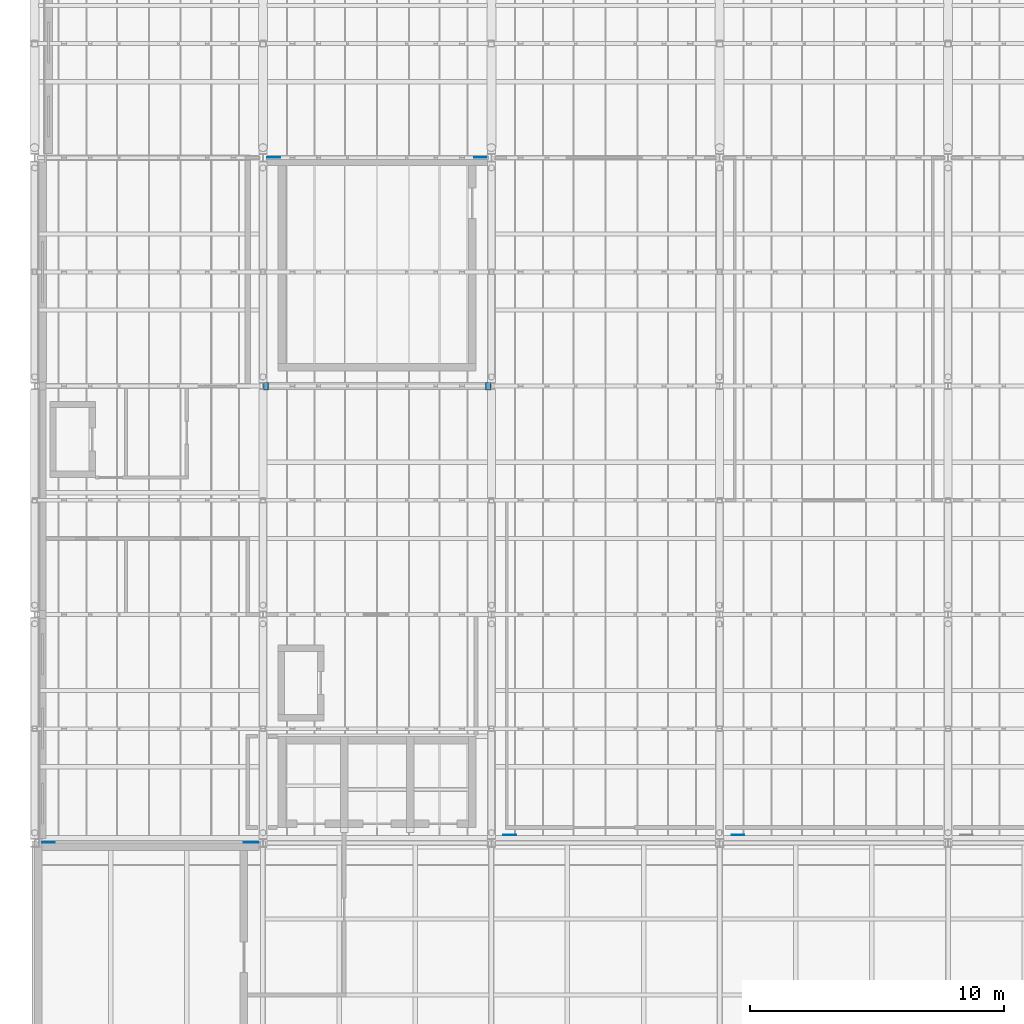
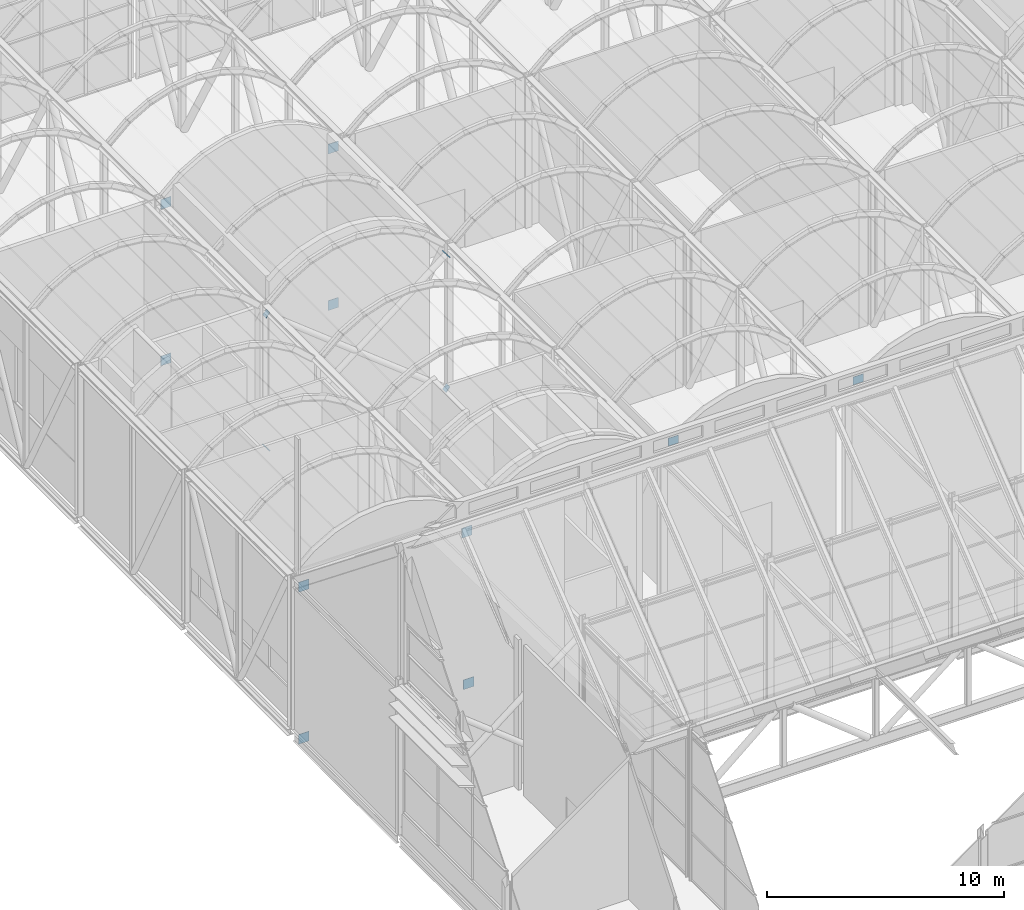
# One storey, part 139 of 144: 14 discrete accessories.
"""IFC4 building model written with IfcOpenShell, lengths in metres."""

from ifc_helpers import new_model, si_unit, direction, frame, origin, place, context, subcontext, project, spatial, polyline, outline, extrude, material, layer, layer_set, type_object, element, save


model = new_model("IFC4")

# Units and contexts
model_context = context("Model", 3, precision=1e-05, world=origin(), true_north=direction((0.0, 1.0)))
body_context = subcontext(model_context, "Body", "Model", "MODEL_VIEW")
ifc_project = project(units=[si_unit("LENGTHUNIT", "METRE"), si_unit("AREAUNIT", "SQUARE_METRE"), si_unit("VOLUMEUNIT", "CUBIC_METRE"), si_unit("PLANEANGLEUNIT", "RADIAN"), si_unit("MASSUNIT", "GRAM", prefix="KILO")], contexts=[model_context])

# Site, building, storey
site_placement = place(None, origin())
site = spatial("IfcSite", under=ifc_project, at=site_placement, CompositionType="ELEMENT")
building_placement = place(site_placement, origin())
building = spatial("IfcBuilding", under=site, at=building_placement, Name="Shorebreak Coast Museum", CompositionType="ELEMENT")
storey_placement = place(building_placement, frame((0.0, 0.0, 36.0)))
storey = spatial("IfcBuildingStorey", under=building, at=storey_placement, Name="L06", CompositionType="ELEMENT", Elevation=36.0)

# Discrete accessories
ifc_material_1 = material(Name="Steel Grade 300", Category="steel")
ifc_layer_1 = layer(ifc_material_1, 0.02490234375)
ifc_layer_set_1 = layer_set([ifc_layer_1], Name="Steel Grade 300")
discrete_accessory_type_1 = type_object("IfcDiscreteAccessoryType", Name="Cast-in plate 500 x 400 x 25", PredefinedType="ANCHORPLATE", material=ifc_layer_set_1)
for number, where, z_axis, x_axis, name in (
    (1, (72.47509765625, 90.300048828125, 7.8212890625), (0.0, -1.0, 0.0), (1.0, 0.0, 0.0), "Cast-in plate Transfer truss TR3 chord C09 end 1"),
    (2, (81.47509765625, 90.300048828125, 7.8212890625), (0.0, -1.0, 0.0), (1.0, 0.0, 0.0), "Cast-in plate Transfer truss TR4 chord C09 end 1"),
):
    element("IfcDiscreteAccessory", number, at=place(storey_placement, frame(where, z_axis=z_axis, x_axis=x_axis)), inside=storey, type_object=discrete_accessory_type_1, Name=name, PredefinedType="ANCHORPLATE", context=body_context, shape_type="SweptSolid", body=[
        extrude(outline(polyline([(0.0, 0.0), (0.5, 0.0), (0.5, 0.400146484375), (0.0, 0.400146484375), (0.0, 0.0)])), origin(), (0.0, 0.0, -1.0), 0.02490234375),
    ])
ifc_material_2 = material(Name="Steel Grade 300", Category="steel")
ifc_layer_2 = layer(ifc_material_2, 0.02490234375)
ifc_layer_set_2 = layer_set([ifc_layer_2], Name="Steel Grade 300")
discrete_accessory_type_2 = type_object("IfcDiscreteAccessoryType", Name="Cast-in plate 500 x 500 x 25", PredefinedType="ANCHORPLATE", material=ifc_layer_set_2)
for number, where, z_axis, x_axis, name in (
    (3, (54.300048828125, 90.0, -0.9853515625), (0.0, -1.0, 0.0), (1.0, 0.0, 0.0), "Cast-in plate Transfer truss TR1 chord C05 end 1"),
    (4, (54.300048828125, 90.0, 6.846435546875), (0.0, -1.0, 0.0), (1.0, 0.0, 0.0), "Cast-in plate Transfer truss TR1 chord C09 end 1"),
    (5, (62.324951171875, 90.0, -0.9853515625), (0.0, -1.0, 0.0), (1.0, 0.0, 0.0), "Cast-in plate Transfer truss TR2 chord C05 end 1"),
    (6, (63.175048828125, 117.0, -0.9853515625), (0.0, -1.0, 0.0), (1.0, 0.0, 0.0), "Cast-in plate Transfer truss TR2 chord C07 end 2"),
    (7, (62.25, 90.0, 6.846435546875), (0.0, -1.0, 0.0), (1.0, 0.0, 0.0), "Cast-in plate Transfer truss TR2 chord C09 end 1"),
    (8, (63.175048828125, 117.0, 7.0712890625), (0.0, -1.0, 0.0), (1.0, 0.0, 0.0), "Cast-in plate Transfer truss TR2 chord C11 end 2"),
    (9, (71.324951171875, 117.0, -0.9853515625), (0.0, -1.0, 0.0), (1.0, 0.0, 0.0), "Cast-in plate Transfer truss TR3 chord C07 end 2"),
    (10, (71.324951171875, 117.0, 7.0712890625), (0.0, -1.0, 0.0), (1.0, 0.0, 0.0), "Cast-in plate Transfer truss TR3 chord C11 end 2"),
):
    element("IfcDiscreteAccessory", number, at=place(storey_placement, frame(where, z_axis=z_axis, x_axis=x_axis)), inside=storey, type_object=discrete_accessory_type_2, Name=name, PredefinedType="ANCHORPLATE", context=body_context, shape_type="SweptSolid", body=[
        extrude(outline(polyline([(0.0, 0.0), (0.5, 0.0), (0.5, 0.5), (0.0, 0.5), (0.0, 0.0)])), origin(), (0.0, 0.0, -1.0), 0.02490234375),
    ])
ifc_material_3 = material(Name="Steel Grade 300", Category="steel")
ifc_layer_3 = layer(ifc_material_3, 0.02490234375)
ifc_layer_set_3 = layer_set([ifc_layer_3], Name="Steel Grade 300")
discrete_accessory_type_3 = type_object("IfcDiscreteAccessoryType", Name="End plate 300 x 300 x 25", PredefinedType="BRACKET", material=ifc_layer_set_3)
discrete_accessory_1_placement = place(storey_placement, frame((63.2197265625, 107.85009765625, 0.18212890625), z_axis=(0.785922934819, 0.0, 0.618324462176), x_axis=(0.0, 1.0, 0.0)))
element("IfcDiscreteAccessory", 11, at=discrete_accessory_1_placement, inside=storey, type_object=discrete_accessory_type_3, Name="End plate X-brace bay 09 L06 diagonal 1 end 1", PredefinedType="BRACKET", context=body_context, shape_type="SweptSolid", body=[
    extrude(outline(polyline([(0.0, 0.0), (0.2998046875, 0.0), (0.2998046875, 0.30008011384010447), (0.0, 0.30008011384010447), (0.0, 0.0)])), origin(), (0.0, 0.0, -1.0), 0.02490234375),
])
discrete_accessory_2_placement = place(storey_placement, frame((71.9853515625, 107.85009765625, 7.07861328125), z_axis=(0.785611582335, 0.0, 0.618720002668), x_axis=(0.0, 1.0, 0.0)))
element("IfcDiscreteAccessory", 12, at=discrete_accessory_2_placement, inside=storey, type_object=discrete_accessory_type_3, Name="End plate X-brace bay 09 L06 diagonal 1 end 2", PredefinedType="BRACKET", context=body_context, shape_type="SweptSolid", body=[
    extrude(outline(polyline([(0.0, 0.0), (0.2998046875, 0.0), (0.2998046875, 0.2998882761183384), (0.0, 0.2998882761183384), (0.0, 0.0)])), origin(), (0.0, 0.0, -1.0), 0.02490234375),
])
discrete_accessory_3_placement = place(storey_placement, frame((71.7802734375, 108.14990234375, 0.18212890625), z_axis=(-0.785922934819, 0.0, 0.618324462176), x_axis=(0.0, -1.0, 0.0)))
element("IfcDiscreteAccessory", 13, at=discrete_accessory_3_placement, inside=storey, type_object=discrete_accessory_type_3, Name="End plate X-brace bay 09 L06 diagonal 2 end 1", PredefinedType="BRACKET", context=body_context, shape_type="SweptSolid", body=[
    extrude(outline(polyline([(0.0, 0.0), (0.2998046875, 0.0), (0.2998046875, 0.30008011384010447), (0.0, 0.30008011384010447), (0.0, 0.0)])), origin(), (0.0, 0.0, -1.0), 0.02490234375),
])
discrete_accessory_4_placement = place(storey_placement, frame((63.0146484375, 108.14990234375, 7.07861328125), z_axis=(-0.785611582335, 0.0, 0.618720002668), x_axis=(0.0, -1.0, 0.0)))
element("IfcDiscreteAccessory", 14, at=discrete_accessory_4_placement, inside=storey, type_object=discrete_accessory_type_3, Name="End plate X-brace bay 09 L06 diagonal 2 end 2", PredefinedType="BRACKET", context=body_context, shape_type="SweptSolid", body=[
    extrude(outline(polyline([(0.0, 0.0), (0.2998046875, 0.0), (0.2998046875, 0.2998882761183384), (0.0, 0.2998882761183384), (0.0, 0.0)])), origin(), (0.0, 0.0, -1.0), 0.02490234375),
])

save(model, "model.ifc")
